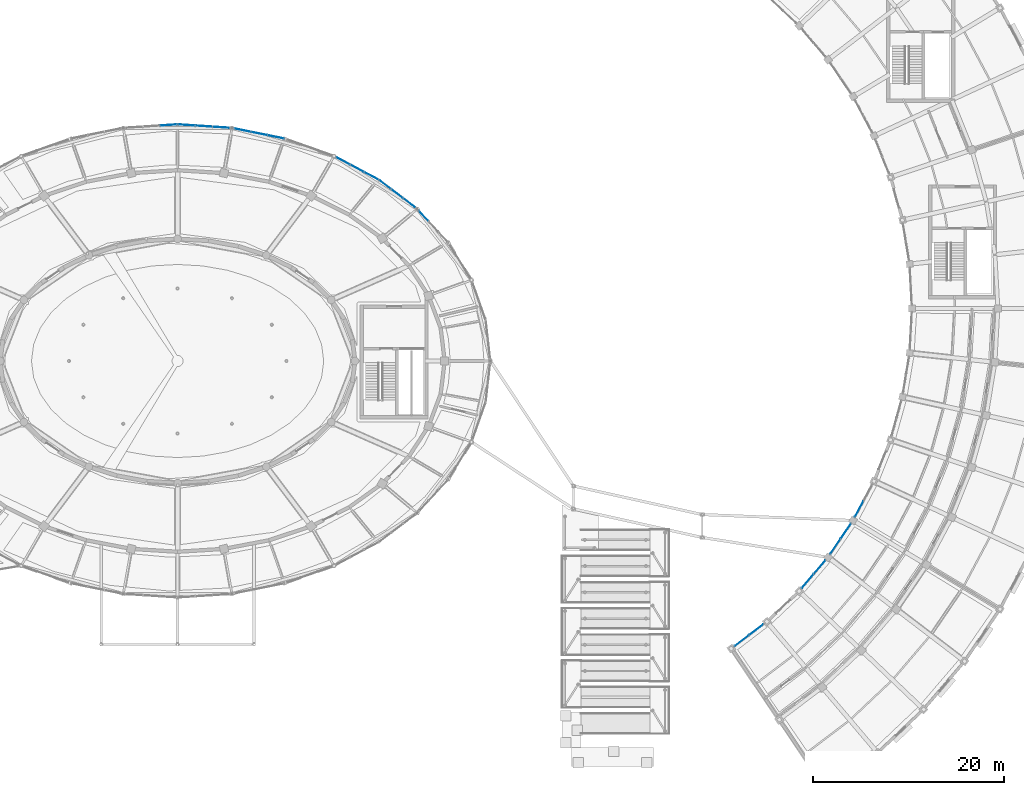
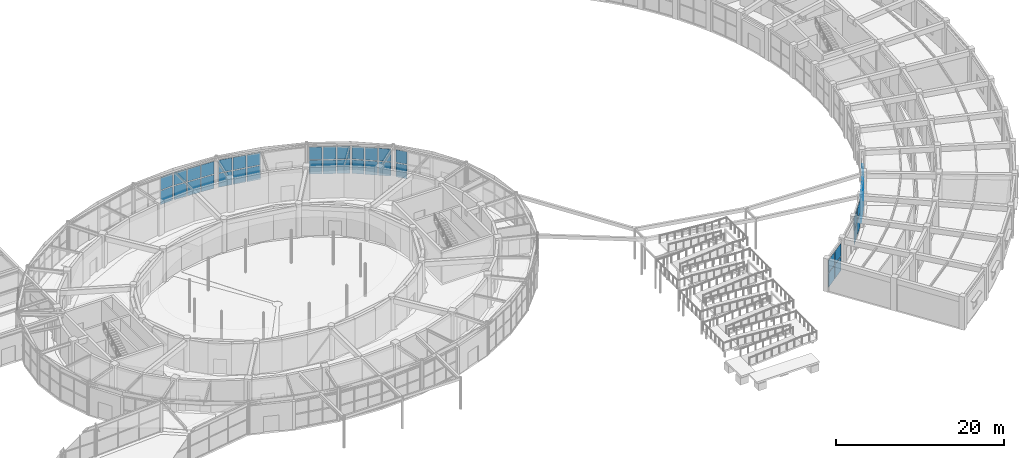
# One storey, part 82 of 108: 42 plates, 10 elements without a shape of their own.
"""IFC4 building model written with IfcOpenShell, lengths in metres."""

from ifc_helpers import new_model, si_unit, direction, frame, origin, origin_2d, place, context, subcontext, project, spatial, rectangle, extrude, material, layer, layer_set, type_object, element, aggregate, save


model = new_model("IFC4")

# Units and contexts
model_context = context("Model", 3, precision=1e-05, world=origin(), true_north=direction((0.0, 1.0)))
body_context = subcontext(model_context, "Body", "Model", "MODEL_VIEW")
ifc_project = project(units=[si_unit("LENGTHUNIT", "METRE"), si_unit("AREAUNIT", "SQUARE_METRE"), si_unit("VOLUMEUNIT", "CUBIC_METRE"), si_unit("PLANEANGLEUNIT", "RADIAN"), si_unit("MASSUNIT", "GRAM", prefix="KILO")], contexts=[model_context])

# Site, building, storey
site_placement = place(None, origin())
site = spatial("IfcSite", under=ifc_project, at=site_placement, CompositionType="ELEMENT")
building_placement = place(site_placement, origin())
building = spatial("IfcBuilding", under=site, at=building_placement, Name="Tarnveldt Headland Concert Hall", CompositionType="ELEMENT")
storey_placement = place(building_placement, origin())
storey = spatial("IfcBuildingStorey", under=building, at=storey_placement, Name="L00", CompositionType="ELEMENT", Elevation=0.0)

# Curtain wall, plates
ifc_material_1 = material(Name="Marine-anodised aluminium EN AW-6063-T6", Category="aluminium")
curtain_wall_type_1 = type_object("IfcCurtainWallType", Name="CW-C1", PredefinedType="NOTDEFINED", material=ifc_material_1)
curtain_wall_1_placement = place(storey_placement, origin())
curtain_wall_1 = element("IfcCurtainWall", 1, at=curtain_wall_1_placement, inside=storey, type_object=curtain_wall_type_1, Name="Curtain wall CW-L00-095", PredefinedType="NOTDEFINED")
ifc_material_2 = material(Name="Acoustic laminated low-iron double glazing", Category="glass")
ifc_layer_1 = layer(ifc_material_2, 0.033935546875, Name="Acoustic laminated low-iron double glazing", Category="glass")
ifc_layer_set_1 = layer_set([ifc_layer_1], Name="Acoustic laminated low-iron double glazing")
plate_type_1 = type_object("IfcPlateType", Name="PN-C1", PredefinedType="CURTAIN_PANEL", material=ifc_layer_set_1)
plate_1_placement = place(storey_placement, frame((142.63134765625, 25.173095703125, 0.092529296875), z_axis=(0.0, 0.0, 1.0), x_axis=(0.797468106507, 0.603361101749, 0.0)))
plate_1 = element("IfcPlate", 2, at=plate_1_placement, type_object=plate_type_1, Name="Glazed panel CW-L00-095-1-1", PredefinedType="CURTAIN_PANEL", context=body_context, shape_type="SweptSolid", body=[
    extrude(rectangle(XDim=1.834716796875, YDim=0.033935546875, at=origin_2d()), origin(), (0.0, 0.0, 1.0), 2.0283203125),
])
plate_2_placement = place(storey_placement, frame((142.63134765625, 25.173095703125, 2.205810546875), z_axis=(0.0, 0.0, 1.0), x_axis=(0.797468106507, 0.603361101749, 0.0)))
plate_2 = element("IfcPlate", 3, at=plate_2_placement, type_object=plate_type_1, Name="Glazed panel CW-L00-095-1-2", PredefinedType="CURTAIN_PANEL", context=body_context, shape_type="SweptSolid", body=[
    extrude(rectangle(XDim=1.834716796875, YDim=0.033935546875, at=origin_2d()), origin(), (0.0, 0.0, 1.0), 1.86181640625),
])
plate_3_placement = place(storey_placement, frame((144.181396484375, 26.345703125, 0.092529296875), z_axis=(0.0, 0.0, 1.0), x_axis=(0.797468106507, 0.603361101749, 0.0)))
plate_3 = element("IfcPlate", 4, at=plate_3_placement, type_object=plate_type_1, Name="Glazed panel CW-L00-095-2-1", PredefinedType="CURTAIN_PANEL", context=body_context, shape_type="SweptSolid", body=[
    extrude(rectangle(XDim=1.834716796875, YDim=0.033935546875, at=origin_2d()), origin(), (0.0, 0.0, 1.0), 2.0283203125),
])
plate_4_placement = place(storey_placement, frame((144.181396484375, 26.345703125, 2.205810546875), z_axis=(0.0, 0.0, 1.0), x_axis=(0.797468106507, 0.603361101749, 0.0)))
plate_4 = element("IfcPlate", 5, at=plate_4_placement, type_object=plate_type_1, Name="Glazed panel CW-L00-095-2-2", PredefinedType="CURTAIN_PANEL", context=body_context, shape_type="SweptSolid", body=[
    extrude(rectangle(XDim=1.834716796875, YDim=0.033935546875, at=origin_2d()), origin(), (0.0, 0.0, 1.0), 1.86181640625),
])
aggregate(curtain_wall_1, [plate_1, plate_2, plate_3, plate_4])

curtain_wall_2_placement = place(storey_placement, origin())
curtain_wall_2 = element("IfcCurtainWall", 6, at=curtain_wall_2_placement, inside=storey, type_object=curtain_wall_type_1, Name="Curtain wall CW-L00-096", PredefinedType="NOTDEFINED")
plate_5_placement = place(storey_placement, frame((149.5458984375, 31.406982421875, 0.092529296875), z_axis=(0.0, 0.0, 1.0), x_axis=(0.648704529332, 0.761040362677, 0.0)))
plate_5 = element("IfcPlate", 7, at=plate_5_placement, type_object=plate_type_1, Name="Glazed panel CW-L00-096-1-1", PredefinedType="CURTAIN_PANEL", context=body_context, shape_type="SweptSolid", body=[
    extrude(rectangle(XDim=1.834716796875, YDim=0.033935546875, at=origin_2d()), origin(), (0.0, 0.0, 1.0), 2.0283203125),
])
plate_6_placement = place(storey_placement, frame((149.5458984375, 31.406982421875, 2.205810546875), z_axis=(0.0, 0.0, 1.0), x_axis=(0.648704529332, 0.761040362677, 0.0)))
plate_6 = element("IfcPlate", 8, at=plate_6_placement, type_object=plate_type_1, Name="Glazed panel CW-L00-096-1-2", PredefinedType="CURTAIN_PANEL", context=body_context, shape_type="SweptSolid", body=[
    extrude(rectangle(XDim=1.834716796875, YDim=0.033935546875, at=origin_2d()), origin(), (0.0, 0.0, 1.0), 1.86181640625),
])
plate_7_placement = place(storey_placement, frame((150.806640625, 32.88623046875, 0.092529296875), z_axis=(0.0, 0.0, 1.0), x_axis=(0.648704529332, 0.761040362677, 0.0)))
plate_7 = element("IfcPlate", 9, at=plate_7_placement, type_object=plate_type_1, Name="Glazed panel CW-L00-096-2-1", PredefinedType="CURTAIN_PANEL", context=body_context, shape_type="SweptSolid", body=[
    extrude(rectangle(XDim=1.834716796875, YDim=0.033935546875, at=origin_2d()), origin(), (0.0, 0.0, 1.0), 2.0283203125),
])
plate_8_placement = place(storey_placement, frame((150.806640625, 32.88623046875, 2.205810546875), z_axis=(0.0, 0.0, 1.0), x_axis=(0.648704529332, 0.761040362677, 0.0)))
plate_8 = element("IfcPlate", 10, at=plate_8_placement, type_object=plate_type_1, Name="Glazed panel CW-L00-096-2-2", PredefinedType="CURTAIN_PANEL", context=body_context, shape_type="SweptSolid", body=[
    extrude(rectangle(XDim=1.834716796875, YDim=0.033935546875, at=origin_2d()), origin(), (0.0, 0.0, 1.0), 1.86181640625),
])
aggregate(curtain_wall_2, [plate_5, plate_6, plate_7, plate_8])

curtain_wall_3_placement = place(storey_placement, origin())
curtain_wall_3 = element("IfcCurtainWall", 11, at=curtain_wall_3_placement, inside=storey, type_object=curtain_wall_type_1, Name="Curtain wall CW-L00-097", PredefinedType="NOTDEFINED")
plate_9_placement = place(storey_placement, frame((152.4560546875, 35.048583984375, 0.092529296875), z_axis=(0.0, 0.0, 1.0), x_axis=(0.562429775231, 0.826845056787, 0.0)))
plate_9 = element("IfcPlate", 12, at=plate_9_placement, type_object=plate_type_1, Name="Glazed panel CW-L00-097-1-1", PredefinedType="CURTAIN_PANEL", context=body_context, shape_type="SweptSolid", body=[
    extrude(rectangle(XDim=1.834716796875, YDim=0.033935546875, at=origin_2d()), origin(), (0.0, 0.0, 1.0), 2.0283203125),
])
plate_10_placement = place(storey_placement, frame((152.4560546875, 35.048583984375, 2.205810546875), z_axis=(0.0, 0.0, 1.0), x_axis=(0.562429775231, 0.826845056787, 0.0)))
plate_10 = element("IfcPlate", 13, at=plate_10_placement, type_object=plate_type_1, Name="Glazed panel CW-L00-097-1-2", PredefinedType="CURTAIN_PANEL", context=body_context, shape_type="SweptSolid", body=[
    extrude(rectangle(XDim=1.834716796875, YDim=0.033935546875, at=origin_2d()), origin(), (0.0, 0.0, 1.0), 1.86181640625),
])
plate_11_placement = place(storey_placement, frame((153.54931640625, 36.65576171875, 0.092529296875), z_axis=(0.0, 0.0, 1.0), x_axis=(0.562429775231, 0.826845056787, 0.0)))
plate_11 = element("IfcPlate", 14, at=plate_11_placement, type_object=plate_type_1, Name="Glazed panel CW-L00-097-2-1", PredefinedType="CURTAIN_PANEL", context=body_context, shape_type="SweptSolid", body=[
    extrude(rectangle(XDim=1.834716796875, YDim=0.033935546875, at=origin_2d()), origin(), (0.0, 0.0, 1.0), 2.0283203125),
])
plate_12_placement = place(storey_placement, frame((153.54931640625, 36.65576171875, 2.205810546875), z_axis=(0.0, 0.0, 1.0), x_axis=(0.562429775231, 0.826845056787, 0.0)))
plate_12 = element("IfcPlate", 15, at=plate_12_placement, type_object=plate_type_1, Name="Glazed panel CW-L00-097-2-2", PredefinedType="CURTAIN_PANEL", context=body_context, shape_type="SweptSolid", body=[
    extrude(rectangle(XDim=1.834716796875, YDim=0.033935546875, at=origin_2d()), origin(), (0.0, 0.0, 1.0), 1.86181640625),
])
aggregate(curtain_wall_3, [plate_9, plate_10, plate_11, plate_12])

curtain_wall_4_placement = place(storey_placement, origin())
curtain_wall_4 = element("IfcCurtainWall", 16, at=curtain_wall_4_placement, inside=storey, type_object=curtain_wall_type_1, Name="Curtain wall CW-L00-098", PredefinedType="NOTDEFINED")
plate_13_placement = place(storey_placement, frame((154.95458984375, 38.984375, 0.092529296875), z_axis=(0.0, 0.0, 1.0), x_axis=(0.469471562786, 0.882947592859, 0.0)))
plate_13 = element("IfcPlate", 17, at=plate_13_placement, type_object=plate_type_1, Name="Glazed panel CW-L00-098-1-1", PredefinedType="CURTAIN_PANEL", context=body_context, shape_type="SweptSolid", body=[
    extrude(rectangle(XDim=1.834716796875, YDim=0.033935546875, at=origin_2d()), origin(), (0.0, 0.0, 1.0), 2.0283203125),
])
plate_14_placement = place(storey_placement, frame((154.95458984375, 38.984375, 2.205810546875), z_axis=(0.0, 0.0, 1.0), x_axis=(0.469471562786, 0.882947592859, 0.0)))
plate_14 = element("IfcPlate", 18, at=plate_14_placement, type_object=plate_type_1, Name="Glazed panel CW-L00-098-1-2", PredefinedType="CURTAIN_PANEL", context=body_context, shape_type="SweptSolid", body=[
    extrude(rectangle(XDim=1.834716796875, YDim=0.033935546875, at=origin_2d()), origin(), (0.0, 0.0, 1.0), 1.86181640625),
])
aggregate(curtain_wall_4, [plate_13, plate_14])

curtain_wall_type_2 = type_object("IfcCurtainWallType", Name="CW-F1", PredefinedType="NOTDEFINED", material=ifc_material_1)
curtain_wall_5_placement = place(storey_placement, origin())
curtain_wall_5 = element("IfcCurtainWall", 19, at=curtain_wall_5_placement, inside=storey, type_object=curtain_wall_type_2, Name="Curtain wall CW-L00-003", PredefinedType="NOTDEFINED")
ifc_layer_2 = layer(ifc_material_2, 0.031982421875, Name="Acoustic laminated low-iron double glazing", Category="glass")
ifc_layer_set_2 = layer_set([ifc_layer_2], Name="Acoustic laminated low-iron double glazing")
plate_type_2 = type_object("IfcPlateType", Name="PN-F1", PredefinedType="CURTAIN_PANEL", material=ifc_layer_set_2)
plate_15_placement = place(storey_placement, frame((109.305908203125, 69.70703125, 0.097412109375), z_axis=(0.0, 0.0, 1.0), x_axis=(-0.67945411016, 0.733718005903, 0.0)))
plate_15 = element("IfcPlate", 20, at=plate_15_placement, type_object=plate_type_2, Name="Glazed panel CW-L00-003-3-1", PredefinedType="CURTAIN_PANEL", context=body_context, shape_type="SweptSolid", body=[
    extrude(rectangle(XDim=1.3955078125, YDim=0.031982421875, at=origin_2d()), origin(), (0.0, 0.0, 1.0), 2.0078125),
])
plate_16_placement = place(storey_placement, frame((109.305908203125, 69.70703125, 2.2001953125), z_axis=(0.0, 0.0, 1.0), x_axis=(-0.67945411016, 0.733718005903, 0.0)))
plate_16 = element("IfcPlate", 21, at=plate_16_placement, type_object=plate_type_2, Name="Glazed panel CW-L00-003-3-2", PredefinedType="CURTAIN_PANEL", context=body_context, shape_type="SweptSolid", body=[
    extrude(rectangle(XDim=1.3955078125, YDim=0.031982421875, at=origin_2d()), origin(), (0.0, 0.0, 1.0), 1.84228515625),
])
aggregate(curtain_wall_5, [plate_15, plate_16])

curtain_wall_6_placement = place(storey_placement, origin())
curtain_wall_6 = element("IfcCurtainWall", 22, at=curtain_wall_6_placement, inside=storey, type_object=curtain_wall_type_2, Name="Curtain wall CW-L00-004", PredefinedType="NOTDEFINED")
plate_17_placement = place(storey_placement, frame((107.796142578125, 71.06884765625, 0.097412109375), z_axis=(0.0, 0.0, 1.0), x_axis=(-0.797657618631, 0.603110539984, 0.0)))
plate_17 = element("IfcPlate", 23, at=plate_17_placement, type_object=plate_type_2, Name="Glazed panel CW-L00-004-1-1", PredefinedType="CURTAIN_PANEL", context=body_context, shape_type="SweptSolid", body=[
    extrude(rectangle(XDim=1.47607421875, YDim=0.031982421875, at=origin_2d()), origin(), (0.0, 0.0, 1.0), 2.0078125),
])
plate_18_placement = place(storey_placement, frame((107.796142578125, 71.06884765625, 2.2001953125), z_axis=(0.0, 0.0, 1.0), x_axis=(-0.797657618631, 0.603110539984, 0.0)))
plate_18 = element("IfcPlate", 24, at=plate_18_placement, type_object=plate_type_2, Name="Glazed panel CW-L00-004-1-2", PredefinedType="CURTAIN_PANEL", context=body_context, shape_type="SweptSolid", body=[
    extrude(rectangle(XDim=1.47607421875, YDim=0.031982421875, at=origin_2d()), origin(), (0.0, 0.0, 1.0), 1.84228515625),
])
plate_19_placement = place(storey_placement, frame((106.523681640625, 72.03076171875, 0.097412109375), z_axis=(0.0, 0.0, 1.0), x_axis=(-0.797657618631, 0.603110539984, 0.0)))
plate_19 = element("IfcPlate", 25, at=plate_19_placement, type_object=plate_type_2, Name="Glazed panel CW-L00-004-2-1", PredefinedType="CURTAIN_PANEL", context=body_context, shape_type="SweptSolid", body=[
    extrude(rectangle(XDim=1.47607421875, YDim=0.031982421875, at=origin_2d()), origin(), (0.0, 0.0, 1.0), 2.0078125),
])
plate_20_placement = place(storey_placement, frame((106.523681640625, 72.03076171875, 2.2001953125), z_axis=(0.0, 0.0, 1.0), x_axis=(-0.797657618631, 0.603110539984, 0.0)))
plate_20 = element("IfcPlate", 26, at=plate_20_placement, type_object=plate_type_2, Name="Glazed panel CW-L00-004-2-2", PredefinedType="CURTAIN_PANEL", context=body_context, shape_type="SweptSolid", body=[
    extrude(rectangle(XDim=1.47607421875, YDim=0.031982421875, at=origin_2d()), origin(), (0.0, 0.0, 1.0), 1.84228515625),
])
plate_21_placement = place(storey_placement, frame((105.25146484375, 72.992919921875, 0.097412109375), z_axis=(0.0, 0.0, 1.0), x_axis=(-0.797657618631, 0.603110539984, 0.0)))
plate_21 = element("IfcPlate", 27, at=plate_21_placement, type_object=plate_type_2, Name="Glazed panel CW-L00-004-3-1", PredefinedType="CURTAIN_PANEL", context=body_context, shape_type="SweptSolid", body=[
    extrude(rectangle(XDim=1.47607421875, YDim=0.031982421875, at=origin_2d()), origin(), (0.0, 0.0, 1.0), 2.0078125),
])
plate_22_placement = place(storey_placement, frame((105.25146484375, 72.992919921875, 2.2001953125), z_axis=(0.0, 0.0, 1.0), x_axis=(-0.797657618631, 0.603110539984, 0.0)))
plate_22 = element("IfcPlate", 28, at=plate_22_placement, type_object=plate_type_2, Name="Glazed panel CW-L00-004-3-2", PredefinedType="CURTAIN_PANEL", context=body_context, shape_type="SweptSolid", body=[
    extrude(rectangle(XDim=1.47607421875, YDim=0.031982421875, at=origin_2d()), origin(), (0.0, 0.0, 1.0), 1.84228515625),
])
aggregate(curtain_wall_6, [plate_17, plate_18, plate_19, plate_20, plate_21, plate_22])

curtain_wall_7_placement = place(storey_placement, origin())
curtain_wall_7 = element("IfcCurtainWall", 29, at=curtain_wall_7_placement, inside=storey, type_object=curtain_wall_type_2, Name="Curtain wall CW-L00-005", PredefinedType="NOTDEFINED")
plate_23_placement = place(storey_placement, frame((103.80908203125, 73.90771484375, 0.097412109375), z_axis=(0.0, 0.0, 1.0), x_axis=(-0.883781963382, 0.467898964735, 0.0)))
plate_23 = element("IfcPlate", 30, at=plate_23_placement, type_object=plate_type_2, Name="Glazed panel CW-L00-005-1-1", PredefinedType="CURTAIN_PANEL", context=body_context, shape_type="SweptSolid", body=[
    extrude(rectangle(XDim=1.552978515625, YDim=0.031982421875, at=origin_2d()), origin(), (0.0, 0.0, 1.0), 2.0078125),
])
plate_24_placement = place(storey_placement, frame((103.80908203125, 73.90771484375, 2.2001953125), z_axis=(0.0, 0.0, 1.0), x_axis=(-0.883781963382, 0.467898964735, 0.0)))
plate_24 = element("IfcPlate", 31, at=plate_24_placement, type_object=plate_type_2, Name="Glazed panel CW-L00-005-1-2", PredefinedType="CURTAIN_PANEL", context=body_context, shape_type="SweptSolid", body=[
    extrude(rectangle(XDim=1.552978515625, YDim=0.031982421875, at=origin_2d()), origin(), (0.0, 0.0, 1.0), 1.84228515625),
])
plate_25_placement = place(storey_placement, frame((102.33154296875, 74.690185546875, 0.097412109375), z_axis=(0.0, 0.0, 1.0), x_axis=(-0.883781963382, 0.467898964735, 0.0)))
plate_25 = element("IfcPlate", 32, at=plate_25_placement, type_object=plate_type_2, Name="Glazed panel CW-L00-005-2-1", PredefinedType="CURTAIN_PANEL", context=body_context, shape_type="SweptSolid", body=[
    extrude(rectangle(XDim=1.552978515625, YDim=0.031982421875, at=origin_2d()), origin(), (0.0, 0.0, 1.0), 2.0078125),
])
plate_26_placement = place(storey_placement, frame((102.33154296875, 74.690185546875, 2.2001953125), z_axis=(0.0, 0.0, 1.0), x_axis=(-0.883781963382, 0.467898964735, 0.0)))
plate_26 = element("IfcPlate", 33, at=plate_26_placement, type_object=plate_type_2, Name="Glazed panel CW-L00-005-2-2", PredefinedType="CURTAIN_PANEL", context=body_context, shape_type="SweptSolid", body=[
    extrude(rectangle(XDim=1.552978515625, YDim=0.031982421875, at=origin_2d()), origin(), (0.0, 0.0, 1.0), 1.84228515625),
])
plate_27_placement = place(storey_placement, frame((100.853759765625, 75.472412109375, 0.097412109375), z_axis=(0.0, 0.0, 1.0), x_axis=(-0.883781963382, 0.467898964735, 0.0)))
plate_27 = element("IfcPlate", 34, at=plate_27_placement, type_object=plate_type_2, Name="Glazed panel CW-L00-005-3-1", PredefinedType="CURTAIN_PANEL", context=body_context, shape_type="SweptSolid", body=[
    extrude(rectangle(XDim=1.552978515625, YDim=0.031982421875, at=origin_2d()), origin(), (0.0, 0.0, 1.0), 2.0078125),
])
plate_28_placement = place(storey_placement, frame((100.853759765625, 75.472412109375, 2.2001953125), z_axis=(0.0, 0.0, 1.0), x_axis=(-0.883781963382, 0.467898964735, 0.0)))
plate_28 = element("IfcPlate", 35, at=plate_28_placement, type_object=plate_type_2, Name="Glazed panel CW-L00-005-3-2", PredefinedType="CURTAIN_PANEL", context=body_context, shape_type="SweptSolid", body=[
    extrude(rectangle(XDim=1.552978515625, YDim=0.031982421875, at=origin_2d()), origin(), (0.0, 0.0, 1.0), 1.84228515625),
])
aggregate(curtain_wall_7, [plate_23, plate_24, plate_25, plate_26, plate_27, plate_28])

curtain_wall_8_placement = place(storey_placement, origin())
curtain_wall_8 = element("IfcCurtainWall", 36, at=curtain_wall_8_placement, inside=storey, type_object=curtain_wall_type_2, Name="Curtain wall CW-L00-006", PredefinedType="NOTDEFINED")
plate_29_placement = place(storey_placement, frame((93.804931640625, 77.989501953125, 0.097412109375), z_axis=(0.0, 0.0, 1.0), x_axis=(-0.98008791737, 0.198564030542, 0.0)))
plate_29 = element("IfcPlate", 37, at=plate_29_placement, type_object=plate_type_2, Name="Glazed panel CW-L00-006-1-1", PredefinedType="CURTAIN_PANEL", context=body_context, shape_type="SweptSolid", body=[
    extrude(rectangle(XDim=1.664794921875, YDim=0.031982421875, at=origin_2d()), origin(), (0.0, 0.0, 1.0), 2.0078125),
])
plate_30_placement = place(storey_placement, frame((93.804931640625, 77.989501953125, 2.2001953125), z_axis=(0.0, 0.0, 1.0), x_axis=(-0.98008791737, 0.198564030542, 0.0)))
plate_30 = element("IfcPlate", 38, at=plate_30_placement, type_object=plate_type_2, Name="Glazed panel CW-L00-006-1-2", PredefinedType="CURTAIN_PANEL", context=body_context, shape_type="SweptSolid", body=[
    extrude(rectangle(XDim=1.664794921875, YDim=0.031982421875, at=origin_2d()), origin(), (0.0, 0.0, 1.0), 1.84228515625),
])
plate_31_placement = place(storey_placement, frame((92.056640625, 78.343505859375, 0.097412109375), z_axis=(0.0, 0.0, 1.0), x_axis=(-0.98008791737, 0.198564030542, 0.0)))
plate_31 = element("IfcPlate", 39, at=plate_31_placement, type_object=plate_type_2, Name="Glazed panel CW-L00-006-2-1", PredefinedType="CURTAIN_PANEL", context=body_context, shape_type="SweptSolid", body=[
    extrude(rectangle(XDim=1.664794921875, YDim=0.031982421875, at=origin_2d()), origin(), (0.0, 0.0, 1.0), 2.0078125),
])
plate_32_placement = place(storey_placement, frame((92.056640625, 78.343505859375, 2.2001953125), z_axis=(0.0, 0.0, 1.0), x_axis=(-0.98008791737, 0.198564030542, 0.0)))
plate_32 = element("IfcPlate", 40, at=plate_32_placement, type_object=plate_type_2, Name="Glazed panel CW-L00-006-2-2", PredefinedType="CURTAIN_PANEL", context=body_context, shape_type="SweptSolid", body=[
    extrude(rectangle(XDim=1.664794921875, YDim=0.031982421875, at=origin_2d()), origin(), (0.0, 0.0, 1.0), 1.84228515625),
])
plate_33_placement = place(storey_placement, frame((90.308349609375, 78.69775390625, 0.097412109375), z_axis=(0.0, 0.0, 1.0), x_axis=(-0.98008791737, 0.198564030542, 0.0)))
plate_33 = element("IfcPlate", 41, at=plate_33_placement, type_object=plate_type_2, Name="Glazed panel CW-L00-006-3-1", PredefinedType="CURTAIN_PANEL", context=body_context, shape_type="SweptSolid", body=[
    extrude(rectangle(XDim=1.664794921875, YDim=0.031982421875, at=origin_2d()), origin(), (0.0, 0.0, 1.0), 2.0078125),
])
plate_34_placement = place(storey_placement, frame((90.308349609375, 78.69775390625, 2.2001953125), z_axis=(0.0, 0.0, 1.0), x_axis=(-0.98008791737, 0.198564030542, 0.0)))
plate_34 = element("IfcPlate", 42, at=plate_34_placement, type_object=plate_type_2, Name="Glazed panel CW-L00-006-3-2", PredefinedType="CURTAIN_PANEL", context=body_context, shape_type="SweptSolid", body=[
    extrude(rectangle(XDim=1.664794921875, YDim=0.031982421875, at=origin_2d()), origin(), (0.0, 0.0, 1.0), 1.84228515625),
])
aggregate(curtain_wall_8, [plate_29, plate_30, plate_31, plate_32, plate_33, plate_34])

curtain_wall_9_placement = place(storey_placement, origin())
curtain_wall_9 = element("IfcCurtainWall", 43, at=curtain_wall_9_placement, inside=storey, type_object=curtain_wall_type_2, Name="Curtain wall CW-L00-007", PredefinedType="NOTDEFINED")
plate_35_placement = place(storey_placement, frame((88.05078125, 78.9990234375, 0.097412109375), z_axis=(0.0, 0.0, 1.0), x_axis=(-0.997818784564, 0.066012674318, 0.0)))
plate_35 = element("IfcPlate", 44, at=plate_35_placement, type_object=plate_type_2, Name="Glazed panel CW-L00-007-1-1", PredefinedType="CURTAIN_PANEL", context=body_context, shape_type="SweptSolid", body=[
    extrude(rectangle(XDim=1.689208984375, YDim=0.031982421875, at=origin_2d()), origin(), (0.0, 0.0, 1.0), 2.0078125),
])
plate_36_placement = place(storey_placement, frame((88.05078125, 78.9990234375, 2.2001953125), z_axis=(0.0, 0.0, 1.0), x_axis=(-0.997818784564, 0.066012674318, 0.0)))
plate_36 = element("IfcPlate", 45, at=plate_36_placement, type_object=plate_type_2, Name="Glazed panel CW-L00-007-1-2", PredefinedType="CURTAIN_PANEL", context=body_context, shape_type="SweptSolid", body=[
    extrude(rectangle(XDim=1.689208984375, YDim=0.031982421875, at=origin_2d()), origin(), (0.0, 0.0, 1.0), 1.84228515625),
])
plate_37_placement = place(storey_placement, frame((86.24658203125, 79.118408203125, 0.097412109375), z_axis=(0.0, 0.0, 1.0), x_axis=(-0.997818784564, 0.066012674318, 0.0)))
plate_37 = element("IfcPlate", 46, at=plate_37_placement, type_object=plate_type_2, Name="Glazed panel CW-L00-007-2-1", PredefinedType="CURTAIN_PANEL", context=body_context, shape_type="SweptSolid", body=[
    extrude(rectangle(XDim=1.689208984375, YDim=0.031982421875, at=origin_2d()), origin(), (0.0, 0.0, 1.0), 2.0078125),
])
plate_38_placement = place(storey_placement, frame((86.24658203125, 79.118408203125, 2.2001953125), z_axis=(0.0, 0.0, 1.0), x_axis=(-0.997818784564, 0.066012674318, 0.0)))
plate_38 = element("IfcPlate", 47, at=plate_38_placement, type_object=plate_type_2, Name="Glazed panel CW-L00-007-2-2", PredefinedType="CURTAIN_PANEL", context=body_context, shape_type="SweptSolid", body=[
    extrude(rectangle(XDim=1.689208984375, YDim=0.031982421875, at=origin_2d()), origin(), (0.0, 0.0, 1.0), 1.84228515625),
])
plate_39_placement = place(storey_placement, frame((84.442138671875, 79.23779296875, 0.097412109375), z_axis=(0.0, 0.0, 1.0), x_axis=(-0.997818784564, 0.066012674318, 0.0)))
plate_39 = element("IfcPlate", 48, at=plate_39_placement, type_object=plate_type_2, Name="Glazed panel CW-L00-007-3-1", PredefinedType="CURTAIN_PANEL", context=body_context, shape_type="SweptSolid", body=[
    extrude(rectangle(XDim=1.689208984375, YDim=0.031982421875, at=origin_2d()), origin(), (0.0, 0.0, 1.0), 2.0078125),
])
plate_40_placement = place(storey_placement, frame((84.442138671875, 79.23779296875, 2.2001953125), z_axis=(0.0, 0.0, 1.0), x_axis=(-0.997818784564, 0.066012674318, 0.0)))
plate_40 = element("IfcPlate", 49, at=plate_40_placement, type_object=plate_type_2, Name="Glazed panel CW-L00-007-3-2", PredefinedType="CURTAIN_PANEL", context=body_context, shape_type="SweptSolid", body=[
    extrude(rectangle(XDim=1.689208984375, YDim=0.031982421875, at=origin_2d()), origin(), (0.0, 0.0, 1.0), 1.84228515625),
])
aggregate(curtain_wall_9, [plate_35, plate_36, plate_37, plate_38, plate_39, plate_40])

curtain_wall_10_placement = place(storey_placement, origin())
curtain_wall_10 = element("IfcCurtainWall", 50, at=curtain_wall_10_placement, inside=storey, type_object=curtain_wall_type_2, Name="Curtain wall CW-L00-008", PredefinedType="NOTDEFINED")
plate_41_placement = place(storey_placement, frame((82.557861328125, 79.23779296875, 0.097412109375), z_axis=(0.0, 0.0, 1.0), x_axis=(-0.997818784564, -0.066012674318, 0.0)))
plate_41 = element("IfcPlate", 51, at=plate_41_placement, type_object=plate_type_2, Name="Glazed panel CW-L00-008-1-1", PredefinedType="CURTAIN_PANEL", context=body_context, shape_type="SweptSolid", body=[
    extrude(rectangle(XDim=1.689208984375, YDim=0.031982421875, at=origin_2d()), origin(), (0.0, 0.0, 1.0), 2.0078125),
])
plate_42_placement = place(storey_placement, frame((82.557861328125, 79.23779296875, 2.2001953125), z_axis=(0.0, 0.0, 1.0), x_axis=(-0.997818784564, -0.066012674318, 0.0)))
plate_42 = element("IfcPlate", 52, at=plate_42_placement, type_object=plate_type_2, Name="Glazed panel CW-L00-008-1-2", PredefinedType="CURTAIN_PANEL", context=body_context, shape_type="SweptSolid", body=[
    extrude(rectangle(XDim=1.689208984375, YDim=0.031982421875, at=origin_2d()), origin(), (0.0, 0.0, 1.0), 1.84228515625),
])
aggregate(curtain_wall_10, [plate_41, plate_42])

save(model, "model.ifc")
